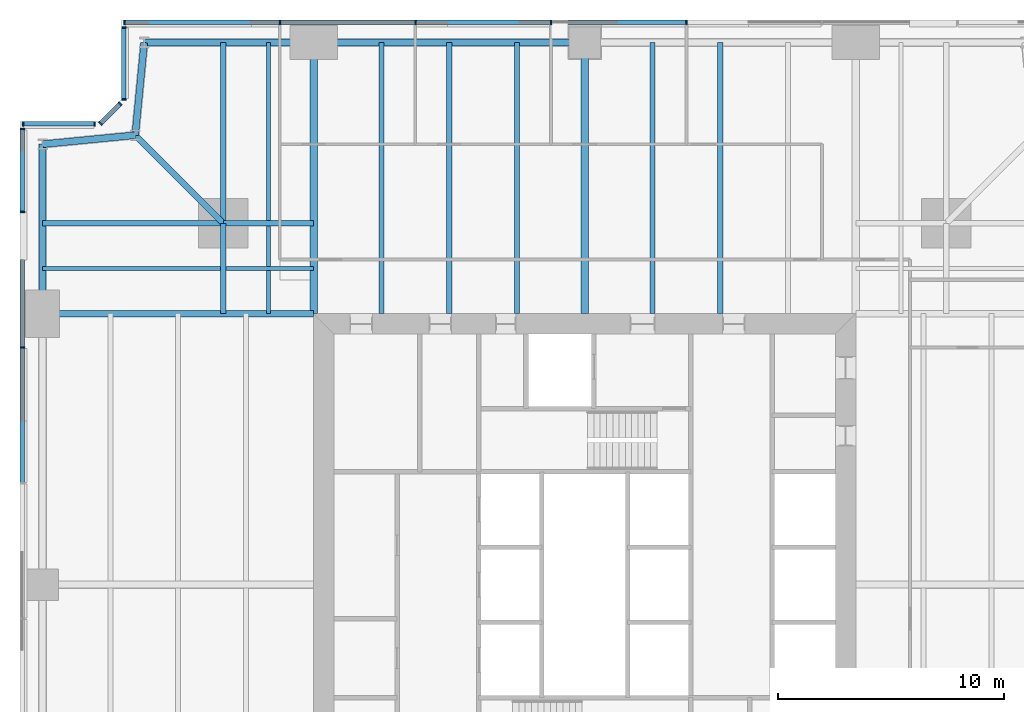
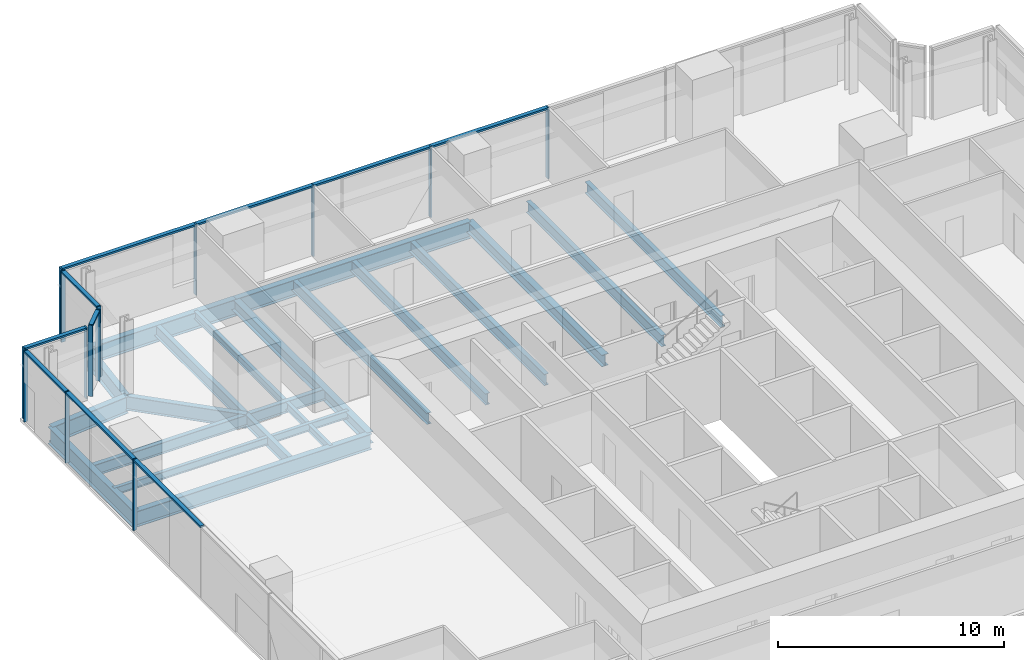
# One storey, part 6 of 13: 24 members, 23 beams, 5 elements without a shape of their own.
"""IFC4 building model written with IfcOpenShell, lengths in metres."""

from ifc_helpers import new_model, si_unit, direction, frame, origin, origin_2d, place, context, subcontext, project, spatial, rectangle, i_section, extrude, material, material_profile, profile_set, type_object, element, aggregate, save


model = new_model("IFC4")

# Units and contexts
model_context = context("Model", 3, precision=1e-05, world=origin(), true_north=direction((0.0, 1.0)))
body_context = subcontext(model_context, "Body", "Model", "MODEL_VIEW")
ifc_project = project(units=[si_unit("LENGTHUNIT", "METRE"), si_unit("AREAUNIT", "SQUARE_METRE"), si_unit("VOLUMEUNIT", "CUBIC_METRE"), si_unit("PLANEANGLEUNIT", "RADIAN"), si_unit("MASSUNIT", "GRAM", prefix="KILO")], contexts=[model_context])

# Site, building, storey
site_placement = place(None, origin())
site = spatial("IfcSite", under=ifc_project, at=site_placement, CompositionType="ELEMENT")
building_placement = place(site_placement, origin())
building = spatial("IfcBuilding", under=site, at=building_placement, Name="Fenwick Lantern Interchange", CompositionType="ELEMENT")
storey_placement = place(building_placement, frame((0.0, 0.0, 106.39990234375)))
storey = spatial("IfcBuildingStorey", under=building, at=storey_placement, Name="L24", CompositionType="ELEMENT", Elevation=106.39990234375)

# Beams
ifc_material_1 = material(Name="Steel ASTM A992 Grade 50", Category="steel")
ifc_material_profile_1 = material_profile(ifc_material_1, i_section(OverallWidth=0.3046875, OverallDepth=0.911865234375, WebThickness=0.015869140625, FlangeThickness=0.02392578125, at=origin_2d()), Name="W36X150")
ifc_profile_set_1 = profile_set([ifc_material_profile_1], Name="Steel ASTM A992 Grade 50")
beam_type_1 = type_object("IfcBeamType", Name="EDGE BEAM W36X150", PredefinedType="SPANDREL", material=ifc_profile_set_1)
beam_1_placement = place(storey_placement, frame((25.0, 49.0, -0.605712890625), z_axis=(-1.0, 0.0, 0.0), x_axis=(0.0, -1.0, 0.0)))
element("IfcBeam", 1, at=beam_1_placement, inside=storey, type_object=beam_type_1, Name="L24/FR/N/EB3", PredefinedType="SPANDREL", context=body_context, shape_type="SweptSolid", body=[
    extrude(i_section(OverallWidth=0.3046875, OverallDepth=0.911865234375, WebThickness=0.015869140625, FlangeThickness=0.02392578125, at=origin_2d()), origin(), (0.0, 0.0, 1.0), 12.0),
])
beam_2_placement = place(storey_placement, frame((13.0, 49.0, -0.605712890625), z_axis=(-1.0, 0.0, 0.0), x_axis=(0.0, -1.0, 0.0)))
element("IfcBeam", 2, at=beam_2_placement, inside=storey, type_object=beam_type_1, Name="L24/FR/N/EB4", PredefinedType="SPANDREL", context=body_context, shape_type="SweptSolid", body=[
    extrude(i_section(OverallWidth=0.3046875, OverallDepth=0.911865234375, WebThickness=0.015869140625, FlangeThickness=0.02392578125, at=origin_2d()), origin(), (0.0, 0.0, 1.0), 7.5),
])
for number, where, z_axis, x_axis, name in (
    (3, (5.5, 49.0, -0.605712890625), (-0.097074191287, -0.995277148028, 0.0), (0.995277148028, -0.097074191287, 0.0), "L24/FR/N/EBR1"),
    (4, (5.10009765625, 44.89990234375, -0.605712890625), (-0.995277148028, -0.097074191287, 0.0), (0.097074191287, -0.995277148028, 0.0), "L24/FR/N/EBR2"),
):
    element("IfcBeam", number, at=place(storey_placement, frame(where, z_axis=z_axis, x_axis=x_axis)), inside=storey, type_object=beam_type_1, Name=name, PredefinedType="SPANDREL", context=body_context, shape_type="SweptSolid", body=[
        extrude(i_section(OverallWidth=0.3046875, OverallDepth=0.911865234375, WebThickness=0.015869140625, FlangeThickness=0.02392578125, at=origin_2d()), origin(), (0.0, 0.0, 1.0), 4.11962890625),
    ])
beam_3_placement = place(storey_placement, frame((1.0, 44.5, -0.605712890625), z_axis=(0.0, -1.0, 0.0), x_axis=(1.0, 0.0, 0.0)))
element("IfcBeam", 5, at=beam_3_placement, inside=storey, type_object=beam_type_1, Name="L24/FR/W/EB1", PredefinedType="SPANDREL", context=body_context, shape_type="SweptSolid", body=[
    extrude(i_section(OverallWidth=0.3046875, OverallDepth=0.911865234375, WebThickness=0.015869140625, FlangeThickness=0.02392578125, at=origin_2d()), origin(), (0.0, 0.0, 1.0), 7.5),
])
ifc_material_profile_2 = material_profile(ifc_material_1, i_section(OverallWidth=0.22900390625, OverallDepth=0.612060546875, WebThickness=0.011962890625, FlangeThickness=0.01953125, at=origin_2d()), Name="W24X84")
ifc_profile_set_2 = profile_set([ifc_material_profile_2], Name="Steel ASTM A992 Grade 50")
beam_type_2 = type_object("IfcBeamType", Name="FLOOR BEAM W24X84", PredefinedType="BEAM", material=ifc_profile_set_2)
for number, where, z_axis, x_axis, name in (
    (6, (31.0, 49.0, -0.4560546875), (0.0, -1.0, 0.0), (1.0, 0.0, 0.0), "L24/FR/N/R03"),
    (7, (28.0, 49.0, -0.4560546875), (0.0, -1.0, 0.0), (1.0, 0.0, 0.0), "L24/FR/N/R04"),
    (8, (22.0, 49.0, -0.4560546875), (0.0, -1.0, 0.0), (1.0, 0.0, 0.0), "L24/FR/N/R06"),
    (9, (19.0, 49.0, -0.4560546875), (0.0, -1.0, 0.0), (1.0, 0.0, 0.0), "L24/FR/N/R07"),
    (10, (16.0, 49.0, -0.4560546875), (0.0, -1.0, 0.0), (1.0, 0.0, 0.0), "L24/FR/N/R08"),
):
    element("IfcBeam", number, at=place(storey_placement, frame(where, z_axis=z_axis, x_axis=x_axis)), inside=storey, type_object=beam_type_2, Name=name, PredefinedType="BEAM", context=body_context, shape_type="SweptSolid", body=[
        extrude(i_section(OverallWidth=0.22900390625, OverallDepth=0.612060546875, WebThickness=0.011962890625, FlangeThickness=0.01953125, at=origin_2d()), origin(), (0.0, 0.0, 1.0), 12.0),
    ])
ifc_material_profile_3 = material_profile(ifc_material_1, i_section(OverallWidth=0.177734375, OverallDepth=0.406494140625, WebThickness=0.0078125, FlangeThickness=0.012939453125, at=origin_2d()), Name="W16X40")
ifc_profile_set_3 = profile_set([ifc_material_profile_3], Name="Steel ASTM A992 Grade 50")
beam_type_3 = type_object("IfcBeamType", Name="INFILL BEAM W16X40", PredefinedType="JOIST", material=ifc_profile_set_3)
beam_4_placement = place(storey_placement, frame((1.0, 39.0, -0.35302734375), z_axis=(1.0, 0.0, 0.0), x_axis=(0.0, 1.0, 0.0)))
element("IfcBeam", 11, at=beam_4_placement, inside=storey, type_object=beam_type_3, Name="L24/FR/W/J1", PredefinedType="JOIST", context=body_context, shape_type="SweptSolid", body=[
    extrude(i_section(OverallWidth=0.177734375, OverallDepth=0.406494140625, WebThickness=0.0078125, FlangeThickness=0.012939453125, at=origin_2d()), origin(), (0.0, 0.0, 1.0), 7.885498046875),
])
beam_5_placement = place(storey_placement, frame((9.114501953125, 39.0, -0.35302734375), z_axis=(1.0, 0.0, 0.0), x_axis=(0.0, 1.0, 0.0)))
element("IfcBeam", 12, at=beam_5_placement, inside=storey, type_object=beam_type_3, Name="L24/FR/W/J2", PredefinedType="JOIST", context=body_context, shape_type="SweptSolid", body=[
    extrude(i_section(OverallWidth=0.177734375, OverallDepth=0.406494140625, WebThickness=0.0078125, FlangeThickness=0.012939453125, at=origin_2d()), origin(), (0.0, 0.0, 1.0), 3.885498046875),
])
beam_6_placement = place(storey_placement, frame((11.0, 49.0, -0.35302734375), z_axis=(0.0, -1.0, 0.0), x_axis=(1.0, 0.0, 0.0)))
element("IfcBeam", 13, at=beam_6_placement, inside=storey, type_object=beam_type_3, Name="L24/FR/W/J3", PredefinedType="JOIST", context=body_context, shape_type="SweptSolid", body=[
    extrude(i_section(OverallWidth=0.177734375, OverallDepth=0.406494140625, WebThickness=0.0078125, FlangeThickness=0.012939453125, at=origin_2d()), origin(), (0.0, 0.0, 1.0), 7.885498046875),
])
beam_7_placement = place(storey_placement, frame((11.0, 40.885498046875, -0.35302734375), z_axis=(0.0, -1.0, 0.0), x_axis=(1.0, 0.0, 0.0)))
element("IfcBeam", 14, at=beam_7_placement, inside=storey, type_object=beam_type_3, Name="L24/FR/W/J4", PredefinedType="JOIST", context=body_context, shape_type="SweptSolid", body=[
    extrude(i_section(OverallWidth=0.177734375, OverallDepth=0.406494140625, WebThickness=0.0078125, FlangeThickness=0.012939453125, at=origin_2d()), origin(), (0.0, 0.0, 1.0), 1.796630859375),
])
beam_8_placement = place(storey_placement, frame((11.0, 38.9111328125, -0.35302734375), z_axis=(0.0, -1.0, 0.0), x_axis=(1.0, 0.0, 0.0)))
element("IfcBeam", 15, at=beam_8_placement, inside=storey, type_object=beam_type_3, Name="L24/FR/W/J5", PredefinedType="JOIST", context=body_context, shape_type="SweptSolid", body=[
    extrude(i_section(OverallWidth=0.177734375, OverallDepth=0.406494140625, WebThickness=0.0078125, FlangeThickness=0.012939453125, at=origin_2d()), origin(), (0.0, 0.0, 1.0), 1.9111328125),
])
ifc_material_profile_4 = material_profile(ifc_material_1, i_section(OverallWidth=0.22900390625, OverallDepth=0.612060546875, WebThickness=0.011962890625, FlangeThickness=0.01953125, at=origin_2d()), Name="W24X84")
ifc_profile_set_4 = profile_set([ifc_material_profile_4], Name="Steel ASTM A992 Grade 50")
beam_type_4 = type_object("IfcBeamType", Name="MEGA COLUMN BEAM W24X84", PredefinedType="BEAM", material=ifc_profile_set_4)
for number, where, z_axis, x_axis, name in (
    (16, (9.0, 41.0, -0.4560546875), (-1.0, 0.0, 0.0), (0.0, -1.0, 0.0), "L24/FR/W/MB1"),
    (17, (9.0, 41.0, -0.4560546875), (0.0, 1.0, 0.0), (-1.0, 0.0, 0.0), "L24/FR/W/MB2"),
):
    element("IfcBeam", number, at=place(storey_placement, frame(where, z_axis=z_axis, x_axis=x_axis)), inside=storey, type_object=beam_type_4, Name=name, PredefinedType="BEAM", context=body_context, shape_type="SweptSolid", body=[
        extrude(i_section(OverallWidth=0.22900390625, OverallDepth=0.612060546875, WebThickness=0.011962890625, FlangeThickness=0.01953125, at=origin_2d()), origin(), (0.0, 0.0, 1.0), 8.0),
    ])
for number, where, z_axis, x_axis, name in (
    (18, (9.0, 41.0, -0.4560546875), (0.0, -1.0, 0.0), (1.0, 0.0, 0.0), "L24/FR/W/MB3"),
    (19, (9.0, 41.0, -0.4560546875), (1.0, 0.0, 0.0), (0.0, 1.0, 0.0), "L24/FR/W/MB4"),
):
    element("IfcBeam", number, at=place(storey_placement, frame(where, z_axis=z_axis, x_axis=x_axis)), inside=storey, type_object=beam_type_4, Name=name, PredefinedType="BEAM", context=body_context, shape_type="SweptSolid", body=[
        extrude(i_section(OverallWidth=0.22900390625, OverallDepth=0.612060546875, WebThickness=0.011962890625, FlangeThickness=0.01953125, at=origin_2d()), origin(), (0.0, 0.0, 1.0), 4.0),
    ])
ifc_material_profile_5 = material_profile(ifc_material_1, i_section(OverallWidth=0.32763671875, OverallDepth=0.622314453125, WebThickness=0.015380859375, FlangeThickness=0.0244140625, at=origin_2d()), Name="W24X131")
ifc_profile_set_5 = profile_set([ifc_material_profile_5], Name="Steel ASTM A992 Grade 50")
beam_type_5 = type_object("IfcBeamType", Name="MOMENT-CONNECTED GIRDER W24X131", PredefinedType="BEAM", material=ifc_profile_set_5)
for number, where, z_axis, x_axis, name in (
    (20, (25.0, 49.0, -0.4609375), (0.0, -1.0, 0.0), (1.0, 0.0, 0.0), "L24/FR/N/R05"),
    (21, (13.0, 49.0, -0.4609375), (0.0, -1.0, 0.0), (1.0, 0.0, 0.0), "L24/FR/N/R09"),
):
    element("IfcBeam", number, at=place(storey_placement, frame(where, z_axis=z_axis, x_axis=x_axis)), inside=storey, type_object=beam_type_5, Name=name, PredefinedType="BEAM", context=body_context, shape_type="SweptSolid", body=[
        extrude(i_section(OverallWidth=0.32763671875, OverallDepth=0.622314453125, WebThickness=0.015380859375, FlangeThickness=0.0244140625, at=origin_2d()), origin(), (0.0, 0.0, 1.0), 12.0),
    ])
ifc_material_profile_6 = material_profile(ifc_material_1, i_section(OverallWidth=0.2919921875, OverallDepth=0.845703125, WebThickness=0.015380859375, FlangeThickness=0.0244140625, at=origin_2d()), Name="W33X141")
ifc_profile_set_6 = profile_set([ifc_material_profile_6], Name="Steel ASTM A992 Grade 50")
beam_type_6 = type_object("IfcBeamType", Name="MOMENT-CONNECTED GIRDER W33X141", PredefinedType="BEAM", material=ifc_profile_set_6)
beam_9_placement = place(storey_placement, frame((1.0, 37.0, -0.57275390625), z_axis=(1.0, 0.0, 0.0), x_axis=(0.0, 1.0, 0.0)))
element("IfcBeam", 22, at=beam_9_placement, inside=storey, type_object=beam_type_6, Name="L24/FR/W/R01", PredefinedType="BEAM", context=body_context, shape_type="SweptSolid", body=[
    extrude(i_section(OverallWidth=0.2919921875, OverallDepth=0.845703125, WebThickness=0.015380859375, FlangeThickness=0.0244140625, at=origin_2d()), origin(), (0.0, 0.0, 1.0), 12.0),
])
ifc_material_profile_7 = material_profile(ifc_material_1, i_section(OverallWidth=0.2666015625, OverallDepth=0.7568359375, WebThickness=0.013916015625, FlangeThickness=0.019287109375, at=origin_2d()), Name="W30X108")
ifc_profile_set_7 = profile_set([ifc_material_profile_7], Name="Steel ASTM A992 Grade 50")
beam_type_7 = type_object("IfcBeamType", Name="NOTCH BEAM W30X108", PredefinedType="BEAM", material=ifc_profile_set_7)
beam_10_placement = place(storey_placement, frame((9.0, 41.0, -0.5283203125), z_axis=(-0.707106781187, 0.707106781187, 0.0), x_axis=(-0.707106781187, -0.707106781187, 0.0)))
element("IfcBeam", 23, at=beam_10_placement, inside=storey, type_object=beam_type_7, Name="L24/FR/W/TG", PredefinedType="BEAM", context=body_context, shape_type="SweptSolid", body=[
    extrude(i_section(OverallWidth=0.2666015625, OverallDepth=0.7568359375, WebThickness=0.013916015625, FlangeThickness=0.019287109375, at=origin_2d()), origin(), (0.0, 0.0, 1.0), 5.515380859375),
])

# Curtain wall, members
ifc_material_2 = material(Name="Aluminium curtain wall frame", Category="aluminium")
curtain_wall_type = type_object("IfcCurtainWallType", Name="OFFICE CURTAIN WALL", PredefinedType="USERDEFINED", material=ifc_material_2)
curtain_wall_1_placement = place(storey_placement, origin())
curtain_wall_1 = element("IfcCurtainWall", 24, at=curtain_wall_1_placement, inside=storey, type_object=curtain_wall_type, Name="Office curtain wall 09", ObjectType="OFFICE CURTAIN WALL", PredefinedType="USERDEFINED")
ifc_material_3 = material(Name="Aluminium extrusion", Category="aluminium")
ifc_material_profile_8 = material_profile(ifc_material_3, rectangle(XDim=0.199951171875, YDim=0.06494140625, at=origin_2d()), Name="OFFICE CURTAIN WALL MULLION 65 X 200")
ifc_profile_set_8 = profile_set([ifc_material_profile_8], Name="Aluminium extrusion")
member_type_1 = type_object("IfcMemberType", Name="OFFICE CURTAIN WALL MULLION 65 X 200", PredefinedType="MULLION", material=ifc_profile_set_8)
member_1_placement = place(storey_placement, frame((29.5, 49.89990234375, 0.0), z_axis=(0.0, 0.0, 1.0), x_axis=(0.0, -1.0, 0.0)))
member_1 = element("IfcMember", 25, at=member_1_placement, type_object=member_type_1, Name="L24/CW/09/M03", PredefinedType="MULLION", context=body_context, shape_type="SweptSolid", body=[
    extrude(rectangle(XDim=0.199951171875, YDim=0.06494140625, at=origin_2d()), origin(), (0.0, 0.0, 1.0), 3.85009765625),
])
member_2_placement = place(storey_placement, frame((23.5, 49.89990234375, 0.0), z_axis=(0.0, 0.0, 1.0), x_axis=(0.0, -1.0, 0.0)))
member_2 = element("IfcMember", 26, at=member_2_placement, type_object=member_type_1, Name="L24/CW/09/M04", PredefinedType="MULLION", context=body_context, shape_type="SweptSolid", body=[
    extrude(rectangle(XDim=0.199951171875, YDim=0.06494140625, at=origin_2d()), origin(), (0.0, 0.0, 1.0), 3.85009765625),
])
member_3_placement = place(storey_placement, frame((17.5, 49.89990234375, 0.0), z_axis=(0.0, 0.0, 1.0), x_axis=(0.0, -1.0, 0.0)))
member_3 = element("IfcMember", 27, at=member_3_placement, type_object=member_type_1, Name="L24/CW/09/M05", PredefinedType="MULLION", context=body_context, shape_type="SweptSolid", body=[
    extrude(rectangle(XDim=0.199951171875, YDim=0.06494140625, at=origin_2d()), origin(), (0.0, 0.0, 1.0), 3.85009765625),
])
member_4_placement = place(storey_placement, frame((11.5, 49.89990234375, 0.0), z_axis=(0.0, 0.0, 1.0), x_axis=(0.0, -1.0, 0.0)))
member_4 = element("IfcMember", 28, at=member_4_placement, type_object=member_type_1, Name="L24/CW/09/M06", PredefinedType="MULLION", context=body_context, shape_type="SweptSolid", body=[
    extrude(rectangle(XDim=0.199951171875, YDim=0.06494140625, at=origin_2d()), origin(), (0.0, 0.0, 1.0), 3.85009765625),
])
member_5_placement = place(storey_placement, frame((4.632568359375, 49.89990234375, 0.0), z_axis=(0.0, 0.0, 1.0), x_axis=(0.0, -1.0, 0.0)))
member_5 = element("IfcMember", 29, at=member_5_placement, type_object=member_type_1, Name="L24/CW/09/M07", PredefinedType="MULLION", context=body_context, shape_type="SweptSolid", body=[
    extrude(rectangle(XDim=0.199951171875, YDim=0.06494140625, at=origin_2d()), origin(), (0.0, 0.0, 1.0), 3.85009765625),
])

curtain_wall_2_placement = place(storey_placement, origin())
curtain_wall_2 = element("IfcCurtainWall", 30, at=curtain_wall_2_placement, inside=storey, type_object=curtain_wall_type, Name="Office curtain wall 10", ObjectType="OFFICE CURTAIN WALL", PredefinedType="USERDEFINED")
member_6_placement = place(storey_placement, frame((4.60009765625, 49.66748046875, 0.0), z_axis=(0.0, 0.0, 1.0), x_axis=(1.0, 0.0, 0.0)))
member_6 = element("IfcMember", 31, at=member_6_placement, type_object=member_type_1, Name="L24/CW/10/M00", PredefinedType="MULLION", context=body_context, shape_type="SweptSolid", body=[
    extrude(rectangle(XDim=0.199951171875, YDim=0.06494140625, at=origin_2d()), origin(), (0.0, 0.0, 1.0), 3.85009765625),
])
member_7_placement = place(storey_placement, frame((4.60009765625, 46.490966796875, 0.0), z_axis=(0.0, 0.0, 1.0), x_axis=(1.0, 0.0, 0.0)))
member_7 = element("IfcMember", 32, at=member_7_placement, type_object=member_type_1, Name="L24/CW/10/M01", PredefinedType="MULLION", context=body_context, shape_type="SweptSolid", body=[
    extrude(rectangle(XDim=0.199951171875, YDim=0.06494140625, at=origin_2d()), origin(), (0.0, 0.0, 1.0), 3.85009765625),
])

curtain_wall_3_placement = place(storey_placement, origin())
curtain_wall_3 = element("IfcCurtainWall", 33, at=curtain_wall_3_placement, inside=storey, type_object=curtain_wall_type, Name="Office curtain wall 11", ObjectType="OFFICE CURTAIN WALL", PredefinedType="USERDEFINED")
member_8_placement = place(storey_placement, frame((4.435546875, 46.294189453125, 0.0), z_axis=(0.0, 0.0, 1.0), x_axis=(0.707106781187, -0.707106781187, 0.0)))
member_8 = element("IfcMember", 34, at=member_8_placement, type_object=member_type_1, Name="L24/CW/11/M00", PredefinedType="MULLION", context=body_context, shape_type="SweptSolid", body=[
    extrude(rectangle(XDim=0.199951171875, YDim=0.06494140625, at=origin_2d()), origin(), (0.0, 0.0, 1.0), 3.85009765625),
])
member_9_placement = place(storey_placement, frame((3.564453125, 45.423095703125, 0.0), z_axis=(0.0, 0.0, 1.0), x_axis=(0.707106781187, -0.707106781187, 0.0)))
member_9 = element("IfcMember", 35, at=member_9_placement, type_object=member_type_1, Name="L24/CW/11/M01", PredefinedType="MULLION", context=body_context, shape_type="SweptSolid", body=[
    extrude(rectangle(XDim=0.199951171875, YDim=0.06494140625, at=origin_2d()), origin(), (0.0, 0.0, 1.0), 3.85009765625),
])

curtain_wall_4_placement = place(storey_placement, origin())
curtain_wall_4 = element("IfcCurtainWall", 36, at=curtain_wall_4_placement, inside=storey, type_object=curtain_wall_type, Name="Office curtain wall 12", ObjectType="OFFICE CURTAIN WALL", PredefinedType="USERDEFINED")
member_10_placement = place(storey_placement, frame((3.308837890625, 45.39990234375, 0.0), z_axis=(0.0, 0.0, 1.0), x_axis=(0.0, -1.0, 0.0)))
member_10 = element("IfcMember", 37, at=member_10_placement, type_object=member_type_1, Name="L24/CW/12/M00", PredefinedType="MULLION", context=body_context, shape_type="SweptSolid", body=[
    extrude(rectangle(XDim=0.199951171875, YDim=0.06494140625, at=origin_2d()), origin(), (0.0, 0.0, 1.0), 3.85009765625),
])
member_11_placement = place(storey_placement, frame((0.132568359375, 45.39990234375, 0.0), z_axis=(0.0, 0.0, 1.0), x_axis=(0.0, -1.0, 0.0)))
member_11 = element("IfcMember", 38, at=member_11_placement, type_object=member_type_1, Name="L24/CW/12/M01", PredefinedType="MULLION", context=body_context, shape_type="SweptSolid", body=[
    extrude(rectangle(XDim=0.199951171875, YDim=0.06494140625, at=origin_2d()), origin(), (0.0, 0.0, 1.0), 3.85009765625),
])

curtain_wall_5_placement = place(storey_placement, origin())
curtain_wall_5 = element("IfcCurtainWall", 39, at=curtain_wall_5_placement, inside=storey, type_object=curtain_wall_type, Name="Office curtain wall 13", ObjectType="OFFICE CURTAIN WALL", PredefinedType="USERDEFINED")
member_12_placement = place(storey_placement, frame((0.10009765625, 45.16748046875, 0.0), z_axis=(0.0, 0.0, 1.0), x_axis=(1.0, 0.0, 0.0)))
member_12 = element("IfcMember", 40, at=member_12_placement, type_object=member_type_1, Name="L24/CW/13/M00", PredefinedType="MULLION", context=body_context, shape_type="SweptSolid", body=[
    extrude(rectangle(XDim=0.199951171875, YDim=0.06494140625, at=origin_2d()), origin(), (0.0, 0.0, 1.0), 3.85009765625),
])
member_13_placement = place(storey_placement, frame((0.10009765625, 41.5, 0.0), z_axis=(0.0, 0.0, 1.0), x_axis=(1.0, 0.0, 0.0)))
member_13 = element("IfcMember", 41, at=member_13_placement, type_object=member_type_1, Name="L24/CW/13/M01", PredefinedType="MULLION", context=body_context, shape_type="SweptSolid", body=[
    extrude(rectangle(XDim=0.199951171875, YDim=0.06494140625, at=origin_2d()), origin(), (0.0, 0.0, 1.0), 3.85009765625),
])
member_14_placement = place(storey_placement, frame((0.10009765625, 35.5, 0.0), z_axis=(0.0, 0.0, 1.0), x_axis=(1.0, 0.0, 0.0)))
member_14 = element("IfcMember", 42, at=member_14_placement, type_object=member_type_1, Name="L24/CW/13/M02", PredefinedType="MULLION", context=body_context, shape_type="SweptSolid", body=[
    extrude(rectangle(XDim=0.199951171875, YDim=0.06494140625, at=origin_2d()), origin(), (0.0, 0.0, 1.0), 3.85009765625),
])

# Member
ifc_material_profile_9 = material_profile(ifc_material_3, rectangle(XDim=0.199951171875, YDim=0.10009765625, at=origin_2d()), Name="OFFICE CURTAIN WALL TRANSOM 100 X 200")
ifc_profile_set_9 = profile_set([ifc_material_profile_9], Name="Aluminium extrusion")
member_type_2 = type_object("IfcMemberType", Name="OFFICE CURTAIN WALL TRANSOM 100 X 200", PredefinedType="MULLION", material=ifc_profile_set_9)
member_15_placement = place(storey_placement, frame((29.467529296875, 49.89990234375, 3.800048828125), z_axis=(-1.0, 0.0, 0.0), x_axis=(0.0, -1.0, 0.0)))
member_15 = element("IfcMember", 43, at=member_15_placement, type_object=member_type_2, Name="L24/CW/09/T03", PredefinedType="MULLION", context=body_context, shape_type="SweptSolid", body=[
    extrude(rectangle(XDim=0.199951171875, YDim=0.10009765625, at=origin_2d()), origin(), (0.0, 0.0, 1.0), 5.93505859375),
])

member_16_placement = place(storey_placement, frame((23.467529296875, 49.89990234375, 3.800048828125), z_axis=(-1.0, 0.0, 0.0), x_axis=(0.0, -1.0, 0.0)))
member_16 = element("IfcMember", 44, at=member_16_placement, type_object=member_type_2, Name="L24/CW/09/T04", PredefinedType="MULLION", context=body_context, shape_type="SweptSolid", body=[
    extrude(rectangle(XDim=0.199951171875, YDim=0.10009765625, at=origin_2d()), origin(), (0.0, 0.0, 1.0), 5.93505859375),
])

member_17_placement = place(storey_placement, frame((17.467529296875, 49.89990234375, 3.800048828125), z_axis=(-1.0, 0.0, 0.0), x_axis=(0.0, -1.0, 0.0)))
member_17 = element("IfcMember", 45, at=member_17_placement, type_object=member_type_2, Name="L24/CW/09/T05", PredefinedType="MULLION", context=body_context, shape_type="SweptSolid", body=[
    extrude(rectangle(XDim=0.199951171875, YDim=0.10009765625, at=origin_2d()), origin(), (0.0, 0.0, 1.0), 5.93505859375),
])

member_18_placement = place(storey_placement, frame((11.467529296875, 49.89990234375, 3.800048828125), z_axis=(-1.0, 0.0, 0.0), x_axis=(0.0, -1.0, 0.0)))
member_18 = element("IfcMember", 46, at=member_18_placement, type_object=member_type_2, Name="L24/CW/09/T06", PredefinedType="MULLION", context=body_context, shape_type="SweptSolid", body=[
    extrude(rectangle(XDim=0.199951171875, YDim=0.10009765625, at=origin_2d()), origin(), (0.0, 0.0, 1.0), 6.802490234375),
])

aggregate(curtain_wall_1, [member_1, member_2, member_3, member_4, member_5, member_15, member_16, member_17, member_18])

member_19_placement = place(storey_placement, frame((4.60009765625, 49.635009765625, 3.800048828125), z_axis=(0.0, -1.0, 0.0), x_axis=(1.0, 0.0, 0.0)))
member_19 = element("IfcMember", 47, at=member_19_placement, type_object=member_type_2, Name="L24/CW/10/T00", PredefinedType="MULLION", context=body_context, shape_type="SweptSolid", body=[
    extrude(rectangle(XDim=0.199951171875, YDim=0.10009765625, at=origin_2d()), origin(), (0.0, 0.0, 1.0), 3.111328125),
])

aggregate(curtain_wall_2, [member_6, member_7, member_19])

member_20_placement = place(storey_placement, frame((4.41259765625, 46.271240234375, 3.800048828125), z_axis=(-0.707106781187, -0.707106781187, 0.0), x_axis=(0.707106781187, -0.707106781187, 0.0)))
member_20 = element("IfcMember", 48, at=member_20_placement, type_object=member_type_2, Name="L24/CW/11/T00", PredefinedType="MULLION", context=body_context, shape_type="SweptSolid", body=[
    extrude(rectangle(XDim=0.199951171875, YDim=0.10009765625, at=origin_2d()), origin(), (0.0, 0.0, 1.0), 1.1669921875),
])

aggregate(curtain_wall_3, [member_8, member_9, member_20])

member_21_placement = place(storey_placement, frame((3.2763671875, 45.39990234375, 3.800048828125), z_axis=(-1.0, 0.0, 0.0), x_axis=(0.0, -1.0, 0.0)))
member_21 = element("IfcMember", 49, at=member_21_placement, type_object=member_type_2, Name="L24/CW/12/T00", PredefinedType="MULLION", context=body_context, shape_type="SweptSolid", body=[
    extrude(rectangle(XDim=0.199951171875, YDim=0.10009765625, at=origin_2d()), origin(), (0.0, 0.0, 1.0), 3.111328125),
])

aggregate(curtain_wall_4, [member_10, member_11, member_21])

member_22_placement = place(storey_placement, frame((0.10009765625, 45.135009765625, 3.800048828125), z_axis=(0.0, -1.0, 0.0), x_axis=(1.0, 0.0, 0.0)))
member_22 = element("IfcMember", 50, at=member_22_placement, type_object=member_type_2, Name="L24/CW/13/T00", PredefinedType="MULLION", context=body_context, shape_type="SweptSolid", body=[
    extrude(rectangle(XDim=0.199951171875, YDim=0.10009765625, at=origin_2d()), origin(), (0.0, 0.0, 1.0), 3.6025390625),
])

member_23_placement = place(storey_placement, frame((0.10009765625, 41.467529296875, 3.800048828125), z_axis=(0.0, -1.0, 0.0), x_axis=(1.0, 0.0, 0.0)))
member_23 = element("IfcMember", 51, at=member_23_placement, type_object=member_type_2, Name="L24/CW/13/T01", PredefinedType="MULLION", context=body_context, shape_type="SweptSolid", body=[
    extrude(rectangle(XDim=0.199951171875, YDim=0.10009765625, at=origin_2d()), origin(), (0.0, 0.0, 1.0), 5.93505859375),
])

member_24_placement = place(storey_placement, frame((0.10009765625, 35.467529296875, 3.800048828125), z_axis=(0.0, -1.0, 0.0), x_axis=(1.0, 0.0, 0.0)))
member_24 = element("IfcMember", 52, at=member_24_placement, type_object=member_type_2, Name="L24/CW/13/T02", PredefinedType="MULLION", context=body_context, shape_type="SweptSolid", body=[
    extrude(rectangle(XDim=0.199951171875, YDim=0.10009765625, at=origin_2d()), origin(), (0.0, 0.0, 1.0), 5.93505859375),
])

aggregate(curtain_wall_5, [member_12, member_13, member_14, member_22, member_23, member_24])

save(model, "model.ifc")
